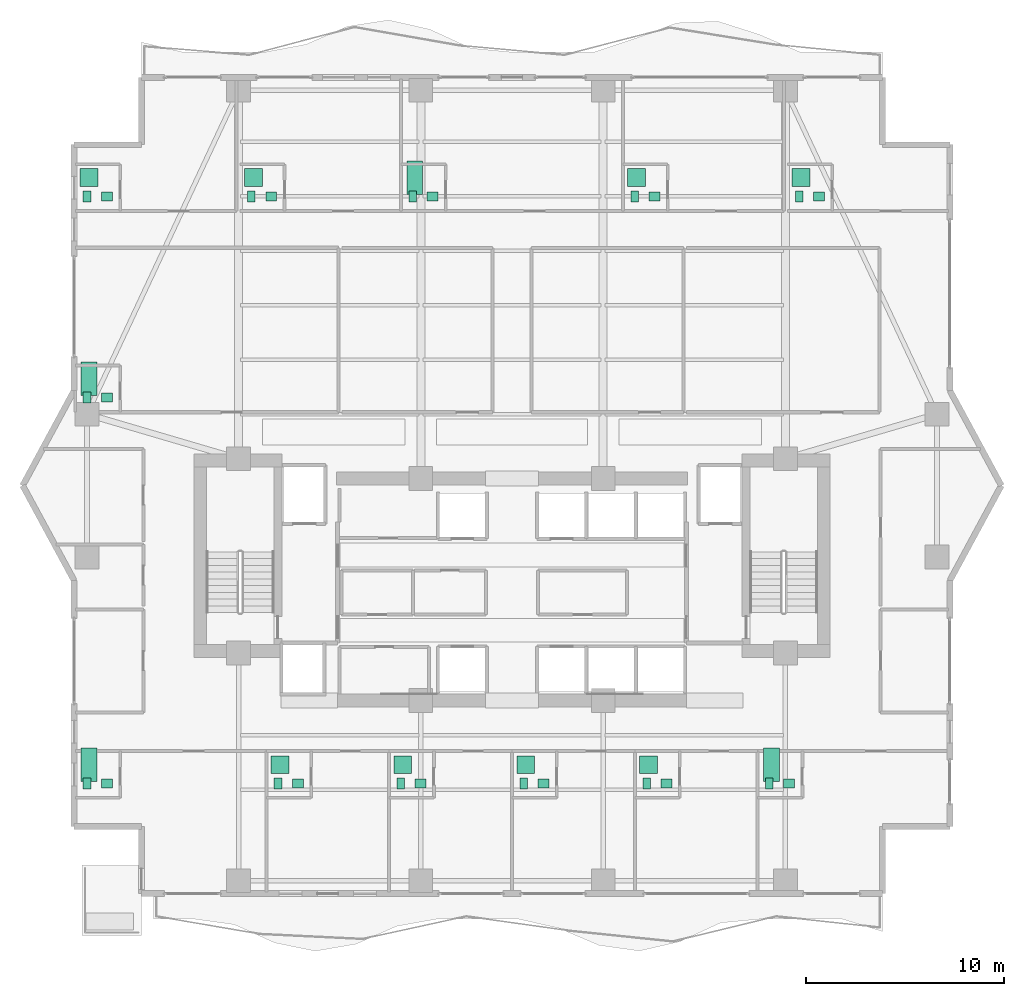
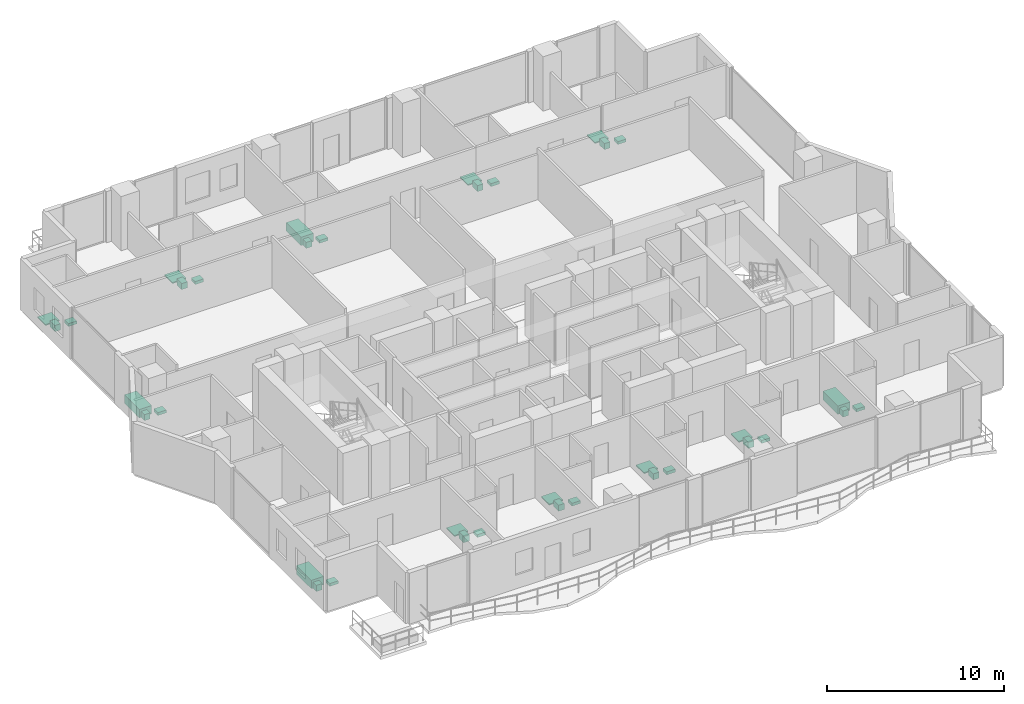
# One storey, part 32 of 32: 36 sanitary terminals.
"""IFC4 building model written with IfcOpenShell, lengths in metres."""

import ifcopenshell
import ifcopenshell.guid

model = None  # the IFC model being written
_history = None  # IfcOwnerHistory: only IFC2X3 demands one
_inside = {}  # id of a spatial element -> (the spatial element, [elements in it])
_under = {}  # id of a project, library or spatial element -> (it, [spatial elements below it])
_declared = {}  # id of a project -> (the project, [libraries it declares])
_typed = {}  # id of a type object -> (the type object, [elements of that type])
_made_of = {}  # id of a material, layer set ... -> (it, [elements and type objects made of it])


def new_model(schema):
    """Start an empty IFC model of exactly this schema.

    Asked for "IFC4X3", IfcOpenShell would pick the latest addendum, in which some entities
    have other attributes; the version numbers below select the first issue.
    IFC2X3 requires an IfcOwnerHistory on every rooted entity: one is made here for all.
    """
    global model, _history
    if schema == "IFC4X3":
        model = ifcopenshell.file(schema_version=(4, 3, 0, 0))
    else:
        model = ifcopenshell.file(schema=schema)
    _inside.clear()
    _under.clear()
    _declared.clear()
    _typed.clear()
    _made_of.clear()
    _history = None
    if model.schema == "IFC2X3":
        org = make("IfcOrganization", Name="unknown")
        user = make(
            "IfcPersonAndOrganization",
            ThePerson=make("IfcPerson", FamilyName="unknown"),
            TheOrganization=org,
        )
        app = make(
            "IfcApplication",
            ApplicationDeveloper=org,
            Version="unknown",
            ApplicationFullName="unknown",
            ApplicationIdentifier="unknown",
        )
        _history = make(
            "IfcOwnerHistory",
            OwningUser=user,
            OwningApplication=app,
            ChangeAction="ADDED",
            CreationDate=0,
        )
    return model


def make(cls, **values):
    """One entity of the class cls with the attributes given. An attribute that is None is left unset."""
    return model.create_entity(
        cls, **{name: value for name, value in values.items() if value is not None}
    )


def rooted(cls, **values):
    """An entity with a GlobalId (a new one), such as an element, a storey or a relation."""
    return make(cls, GlobalId=ifcopenshell.guid.new(), OwnerHistory=_history, **values)


def si_unit(unit_type, name, prefix=None):
    """IfcSIUnit, for example si_unit("LENGTHUNIT", "METRE", prefix="MILLI")."""
    return make("IfcSIUnit", UnitType=unit_type, Prefix=prefix, Name=name)


def assignment(units):
    """IfcUnitAssignment: the units of a project."""
    return None if units is None else make("IfcUnitAssignment", Units=units)


def point(xyz):
    """IfcCartesianPoint."""
    return None if xyz is None else make("IfcCartesianPoint", Coordinates=xyz)


def direction(xyz):
    """IfcDirection."""
    return None if xyz is None else make("IfcDirection", DirectionRatios=xyz)


def frame(location, z_axis=None, x_axis=None):
    """IfcAxis2Placement3D, a coordinate frame: its origin and axes. An axis left out is left unset."""
    return make(
        "IfcAxis2Placement3D",
        Location=point(location),
        Axis=direction(z_axis),
        RefDirection=direction(x_axis),
    )


def frame_2d(location, x_axis=None):
    """IfcAxis2Placement2D, a coordinate frame in the plane: its origin and x axis."""
    return make(
        "IfcAxis2Placement2D", Location=point(location), RefDirection=direction(x_axis)
    )


def origin():
    """The frame at (0, 0, 0) with its axes left unset."""
    return frame((0.0, 0.0, 0.0))


def origin_2d():
    """The frame at (0, 0) in the plane with its x axis left unset."""
    return frame_2d((0.0, 0.0))


def place(relative_to, where):
    """IfcLocalPlacement: puts the frame where relative to a parent placement (None: the world)."""
    return make(
        "IfcLocalPlacement", PlacementRelTo=relative_to, RelativePlacement=where
    )


def context(
    kind, dimensions, precision=None, world=None, true_north=None, identifier=None
):
    """IfcGeometricRepresentationContext, for example the 3D "Model" context."""
    return make(
        "IfcGeometricRepresentationContext",
        ContextIdentifier=identifier,
        ContextType=kind,
        CoordinateSpaceDimension=dimensions,
        Precision=precision,
        WorldCoordinateSystem=world,
        TrueNorth=true_north,
    )


def subcontext(parent, identifier, kind, view, scale=None):
    """IfcGeometricRepresentationSubContext, for example "Body" below "Model"."""
    return make(
        "IfcGeometricRepresentationSubContext",
        ContextIdentifier=identifier,
        ContextType=kind,
        ParentContext=parent,
        TargetScale=scale,
        TargetView=view,
    )


def project(units=None, contexts=None):
    """IfcProject with its units and contexts."""
    return rooted(
        "IfcProject",
        Name="project",
        RepresentationContexts=contexts,
        UnitsInContext=assignment(units),
    )


def spatial(cls, under=None, at=None, **own):
    """A site, building, storey or space (cls), placed at a placement, below another one or the project."""
    s = rooted(cls, ObjectPlacement=at, **own)
    if under is not None:
        _under.setdefault(under.id(), (under, []))[1].append(s)
    return s


def profile(cls, at=None, kind="AREA", **sizes):
    """A parametric profile (cls). Its sizes go by their IFC names, for example OverallWidth=200.0."""
    return make(cls, ProfileType=kind, Position=at, **sizes)


def rectangle(**sizes):
    """IfcRectangleProfileDef."""
    return profile("IfcRectangleProfileDef", **sizes)


def extrude(swept, where, along, depth):
    """IfcExtrudedAreaSolid: the profile swept, set in the frame where, extruded along a direction by depth."""
    return make(
        "IfcExtrudedAreaSolid",
        SweptArea=swept,
        Position=where,
        ExtrudedDirection=direction(along),
        Depth=depth,
    )


def shape(context_of_items, identifier, shape_type, items):
    """IfcShapeRepresentation: the items that make up one representation, for example the "Body"."""
    return make(
        "IfcShapeRepresentation",
        ContextOfItems=context_of_items,
        RepresentationIdentifier=identifier,
        RepresentationType=shape_type,
        Items=items,
    )


def material(Name=None, Category=None):
    """IfcMaterial."""
    return make("IfcMaterial", Name=Name, Category=Category)


def made_of(thing, what):
    """Note that an element or type object is made of a material, layer set ...; save() writes the relation."""
    if what is not None:
        _made_of.setdefault(what.id(), (what, []))[1].append(thing)
    return thing


def type_object(cls, material=None, **own):
    """A type object (cls), such as IfcWallType, which elements share."""
    return made_of(rooted(cls, **own), material)


def element(
    cls,
    number,
    at=None,
    inside=None,
    cuts=None,
    type_object=None,
    material=None,
    context=None,
    identifier="Body",
    shape_type=None,
    held_by="IfcProductDefinitionShape",
    body=None,
    shapes=None,
    **own,
):
    """One element of the class cls, such as IfcWall. Its Tag is "e" and its number.

    at: its placement. inside: the storey or other place that contains it. cuts: it is an
    opening in that element (IfcRelVoidsElement). A single representation is given by context,
    identifier, shape_type and body (its items); several are given by shapes. held_by: the class
    of the entity that holds the representations. save() writes the other relations.
    """
    e = rooted(cls, Tag="e%d" % number, ObjectPlacement=at, **own)
    if body is not None:
        shapes = [shape(context, identifier, shape_type, body)]
    if shapes is not None:
        e.Representation = make(held_by, Representations=shapes)
    if inside is not None:
        _inside.setdefault(inside.id(), (inside, []))[1].append(e)
    if cuts is not None:
        rooted(
            "IfcRelVoidsElement", RelatingBuildingElement=cuts, RelatedOpeningElement=e
        )
    if type_object is not None:
        _typed.setdefault(type_object.id(), (type_object, []))[1].append(e)
    return made_of(e, material)


def aggregate(whole, parts):
    """IfcRelAggregates: a whole, such as a stair, and the parts it consists of."""
    return rooted("IfcRelAggregates", RelatingObject=whole, RelatedObjects=parts)


def save(model, path):
    """Write the relations noted so far, then the file.

    IfcRelAggregates (storeys below a building ...), IfcRelContainedInSpatialStructure (elements
    in a storey), IfcRelDefinesByType, IfcRelAssociatesMaterial and IfcRelDeclares: one each for
    every whole, place, type object, material and project.
    """
    for whole, parts in _under.values():
        aggregate(whole, parts)
    for where, things in _inside.values():
        rooted(
            "IfcRelContainedInSpatialStructure",
            RelatedElements=things,
            RelatingStructure=where,
        )
    for kind, things in _typed.values():
        rooted("IfcRelDefinesByType", RelatedObjects=things, RelatingType=kind)
    for what, things in _made_of.values():
        rooted("IfcRelAssociatesMaterial", RelatedObjects=things, RelatingMaterial=what)
    for by, libraries in _declared.values():
        rooted("IfcRelDeclares", RelatingContext=by, RelatedDefinitions=libraries)
    model.write(path)


model = new_model("IFC4")

# Units and contexts
model_context = context("Model", 3, precision=1e-05, world=origin(), true_north=direction((0.0, 1.0)))
body_context = subcontext(model_context, "Body", "Model", "MODEL_VIEW")
ifc_project = project(units=[si_unit("LENGTHUNIT", "METRE"), si_unit("AREAUNIT", "SQUARE_METRE"), si_unit("VOLUMEUNIT", "CUBIC_METRE"), si_unit("PLANEANGLEUNIT", "RADIAN"), si_unit("MASSUNIT", "GRAM", prefix="KILO")], contexts=[model_context])

# Site, building, storey
site_placement = place(None, origin())
site = spatial("IfcSite", under=ifc_project, at=site_placement, CompositionType="ELEMENT")
building_placement = place(site_placement, origin())
building = spatial("IfcBuilding", under=site, at=building_placement, Name="Zuhayl Quay Hotel", CompositionType="ELEMENT")
storey_placement = place(building_placement, frame((0.0, 0.0, 188.64990234375)))
storey = spatial("IfcBuildingStorey", under=building, at=storey_placement, Name="L47", CompositionType="ELEMENT", Elevation=188.64990234375)

# Sanitary terminals
ifc_material = material(Name="Vitreous Porcelain Sanitaryware")
sanitary_terminal_type_1 = type_object("IfcSanitaryTerminalType", Name="SAN_BASIN", PredefinedType="WASHHANDBASIN", material=ifc_material)
for number, where, z_axis, x_axis, name in (
    (1, (-20.449951171875, 27.590087890625, 0.0), (0.0, 0.0, 1.0), (1.0, 0.0, 0.0), "L47 Sanitary Fixture WASHHANDBASIN"),
    (2, (-12.14990234375, 27.590087890625, 0.0), (0.0, 0.0, 1.0), (1.0, 0.0, 0.0), "L47 Sanitary Fixture WASHHANDBASIN"),
    (3, (-4.010009765625, 27.590087890625, 0.0), (0.0, 0.0, 1.0), (1.0, 0.0, 0.0), "L47 Sanitary Fixture WASHHANDBASIN"),
    (4, (7.18994140625, 27.590087890625, 0.0), (0.0, 0.0, 1.0), (1.0, 0.0, 0.0), "L47 Sanitary Fixture WASHHANDBASIN"),
    (5, (15.489990234375, 27.590087890625, 0.0), (0.0, 0.0, 1.0), (1.0, 0.0, 0.0), "L47 Sanitary Fixture WASHHANDBASIN"),
    (6, (-20.449951171875, 17.43994140625, 0.0), (0.0, 0.0, 1.0), (1.0, 0.0, 0.0), "L47 Sanitary Fixture WASHHANDBASIN"),
    (7, (-20.449951171875, -2.0400390625, 0.0), (0.0, 0.0, 1.0), (1.0, 0.0, 0.0), "L47 Sanitary Fixture WASHHANDBASIN"),
    (8, (-10.81005859375, -2.0400390625, 0.0), (0.0, 0.0, 1.0), (1.0, 0.0, 0.0), "L47 Sanitary Fixture WASHHANDBASIN"),
    (9, (-4.610107421875, -2.0400390625, 0.0), (0.0, 0.0, 1.0), (1.0, 0.0, 0.0), "L47 Sanitary Fixture WASHHANDBASIN"),
    (10, (1.590087890625, -2.0400390625, 0.0), (0.0, 0.0, 1.0), (1.0, 0.0, 0.0), "L47 Sanitary Fixture WASHHANDBASIN"),
    (11, (7.7900390625, -2.0400390625, 0.0), (0.0, 0.0, 1.0), (1.0, 0.0, 0.0), "L47 Sanitary Fixture WASHHANDBASIN"),
    (12, (13.989990234375, -2.0400390625, 0.0), (0.0, 0.0, 1.0), (1.0, 0.0, 0.0), "L47 Sanitary Fixture WASHHANDBASIN"),
):
    element("IfcSanitaryTerminal", number, at=place(storey_placement, frame(where, z_axis=z_axis, x_axis=x_axis)), inside=storey, type_object=sanitary_terminal_type_1, Name=name, PredefinedType="WASHHANDBASIN", context=body_context, shape_type="SweptSolid", body=[
        extrude(rectangle(XDim=0.550048828125, YDim=0.449951171875, at=origin_2d()), origin(), (0.0, 0.0, 1.0), 0.199951171875),
    ])
sanitary_terminal_type_2 = type_object("IfcSanitaryTerminalType", Name="SAN_BATH", PredefinedType="BATH", material=ifc_material)
for number, where, z_axis, x_axis, name in (
    (13, (-4.909912109375, 28.5400390625, 0.0), (0.0, 0.0, 1.0), (1.0, 0.0, 0.0), "L47 Sanitary Fixture BATH"),
    (14, (-21.35009765625, 18.389892578125, 0.0), (0.0, 0.0, 1.0), (1.0, 0.0, 0.0), "L47 Sanitary Fixture BATH"),
    (15, (-21.35009765625, -1.090087890625, 0.0), (0.0, 0.0, 1.0), (1.0, 0.0, 0.0), "L47 Sanitary Fixture BATH"),
    (16, (13.090087890625, -1.090087890625, 0.0), (0.0, 0.0, 1.0), (1.0, 0.0, 0.0), "L47 Sanitary Fixture BATH"),
):
    element("IfcSanitaryTerminal", number, at=place(storey_placement, frame(where, z_axis=z_axis, x_axis=x_axis)), inside=storey, type_object=sanitary_terminal_type_2, Name=name, PredefinedType="BATH", context=body_context, shape_type="SweptSolid", body=[
        extrude(rectangle(XDim=0.800048828125, YDim=1.699951171875, at=origin_2d()), origin(), (0.0, 0.0, 1.0), 0.580078125),
    ])
sanitary_terminal_type_3 = type_object("IfcSanitaryTerminalType", Name="SAN_SHOWER", PredefinedType="SHOWER", material=ifc_material)
for number, where, z_axis, x_axis, name in (
    (17, (-21.35009765625, 28.5400390625, 0.0), (0.0, 0.0, 1.0), (1.0, 0.0, 0.0), "L47 Sanitary Fixture SHOWER"),
    (18, (-13.050048828125, 28.5400390625, 0.0), (0.0, 0.0, 1.0), (1.0, 0.0, 0.0), "L47 Sanitary Fixture SHOWER"),
    (19, (6.2900390625, 28.5400390625, 0.0), (0.0, 0.0, 1.0), (1.0, 0.0, 0.0), "L47 Sanitary Fixture SHOWER"),
    (20, (14.590087890625, 28.5400390625, 0.0), (0.0, 0.0, 1.0), (1.0, 0.0, 0.0), "L47 Sanitary Fixture SHOWER"),
    (21, (-11.7099609375, -1.090087890625, 0.0), (0.0, 0.0, 1.0), (1.0, 0.0, 0.0), "L47 Sanitary Fixture SHOWER"),
    (22, (-5.510009765625, -1.090087890625, 0.0), (0.0, 0.0, 1.0), (1.0, 0.0, 0.0), "L47 Sanitary Fixture SHOWER"),
    (23, (0.68994140625, -1.090087890625, 0.0), (0.0, 0.0, 1.0), (1.0, 0.0, 0.0), "L47 Sanitary Fixture SHOWER"),
    (24, (6.889892578125, -1.090087890625, 0.0), (0.0, 0.0, 1.0), (1.0, 0.0, 0.0), "L47 Sanitary Fixture SHOWER"),
):
    element("IfcSanitaryTerminal", number, at=place(storey_placement, frame(where, z_axis=z_axis, x_axis=x_axis)), inside=storey, type_object=sanitary_terminal_type_3, Name=name, PredefinedType="SHOWER", context=body_context, shape_type="SweptSolid", body=[
        extrude(rectangle(XDim=0.89990234375, YDim=0.89990234375, at=origin_2d()), origin(), (0.0, 0.0, 1.0), 0.080078125),
    ])
sanitary_terminal_type_4 = type_object("IfcSanitaryTerminalType", Name="SAN_WC", PredefinedType="TOILETPAN", material=ifc_material)
for number, where, z_axis, x_axis, name in (
    (25, (-21.449951171875, 27.590087890625, 0.000244140625), (0.0, 0.0, 1.0), (1.0, 0.0, 0.0), "L47 Sanitary Fixture TOILETPAN"),
    (26, (-13.14990234375, 27.590087890625, 0.000244140625), (0.0, 0.0, 1.0), (1.0, 0.0, 0.0), "L47 Sanitary Fixture TOILETPAN"),
    (27, (-5.010009765625, 27.590087890625, 0.000244140625), (0.0, 0.0, 1.0), (1.0, 0.0, 0.0), "L47 Sanitary Fixture TOILETPAN"),
    (28, (6.18994140625, 27.590087890625, 0.000244140625), (0.0, 0.0, 1.0), (1.0, 0.0, 0.0), "L47 Sanitary Fixture TOILETPAN"),
    (29, (14.489990234375, 27.590087890625, 0.000244140625), (0.0, 0.0, 1.0), (1.0, 0.0, 0.0), "L47 Sanitary Fixture TOILETPAN"),
    (30, (-21.449951171875, 17.43994140625, 0.000244140625), (0.0, 0.0, 1.0), (1.0, 0.0, 0.0), "L47 Sanitary Fixture TOILETPAN"),
    (31, (-21.449951171875, -2.0400390625, 0.000244140625), (0.0, 0.0, 1.0), (1.0, 0.0, 0.0), "L47 Sanitary Fixture TOILETPAN"),
    (32, (-11.81005859375, -2.0400390625, 0.000244140625), (0.0, 0.0, 1.0), (1.0, 0.0, 0.0), "L47 Sanitary Fixture TOILETPAN"),
    (33, (-5.610107421875, -2.0400390625, 0.000244140625), (0.0, 0.0, 1.0), (1.0, 0.0, 0.0), "L47 Sanitary Fixture TOILETPAN"),
    (34, (0.590087890625, -2.0400390625, 0.000244140625), (0.0, 0.0, 1.0), (1.0, 0.0, 0.0), "L47 Sanitary Fixture TOILETPAN"),
    (35, (6.7900390625, -2.0400390625, 0.000244140625), (0.0, 0.0, 1.0), (1.0, 0.0, 0.0), "L47 Sanitary Fixture TOILETPAN"),
    (36, (12.989990234375, -2.0400390625, 0.000244140625), (0.0, 0.0, 1.0), (1.0, 0.0, 0.0), "L47 Sanitary Fixture TOILETPAN"),
):
    element("IfcSanitaryTerminal", number, at=place(storey_placement, frame(where, z_axis=z_axis, x_axis=x_axis)), inside=storey, type_object=sanitary_terminal_type_4, Name=name, PredefinedType="TOILETPAN", context=body_context, shape_type="SweptSolid", body=[
        extrude(rectangle(XDim=0.3798828125, YDim=0.56005859375, at=origin_2d()), origin(), (0.0, 0.0, 1.0), 0.419921875),
    ])

save(model, "model.ifc")
